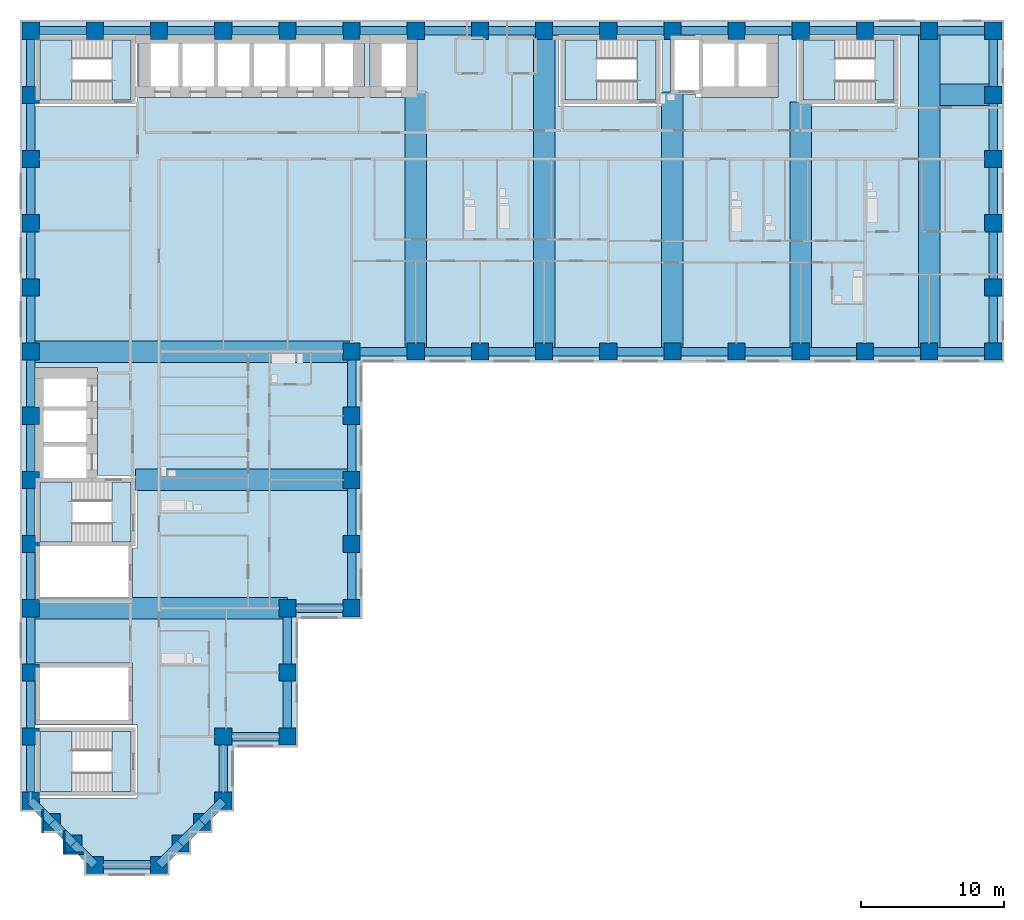
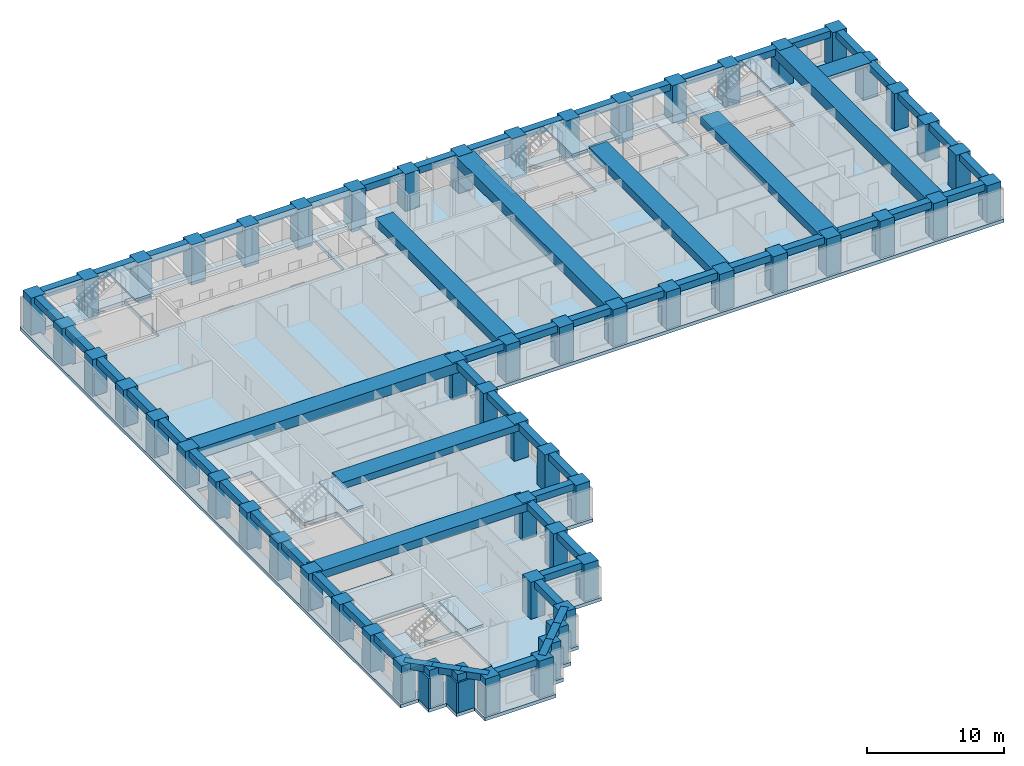
# One storey, part 1 of 12: 67 beams, 58 columns, 11 slabs, 3 walls, 5 elements without a shape of their own.
"""IFC4 building model written with IfcOpenShell, lengths in metres."""

from ifc_helpers import new_model, si_unit, direction, frame, frame_2d, origin, origin_2d, place, context, subcontext, project, spatial, polyline, rectangle, outline, extrude, material, layer, layer_set, material_profile, profile_set, type_object, element, aggregate, save


model = new_model("IFC4")

# Units and contexts
model_context = context("Model", 3, precision=1e-05, world=origin(), true_north=direction((0.0, 1.0)))
body_context = subcontext(model_context, "Body", "Model", "MODEL_VIEW")
ifc_project = project(units=[si_unit("LENGTHUNIT", "METRE"), si_unit("AREAUNIT", "SQUARE_METRE"), si_unit("VOLUMEUNIT", "CUBIC_METRE"), si_unit("PLANEANGLEUNIT", "RADIAN"), si_unit("MASSUNIT", "GRAM", prefix="KILO")], contexts=[model_context])

# Site, building, storey
site_placement = place(None, origin())
site = spatial("IfcSite", under=ifc_project, at=site_placement, CompositionType="ELEMENT")
building_placement = place(site_placement, origin())
building = spatial("IfcBuilding", under=site, at=building_placement, Name="Firuza Court", CompositionType="ELEMENT")
storey_placement = place(building_placement, frame((0.0, 0.0, 97.39990234375)))
storey = spatial("IfcBuildingStorey", under=building, at=storey_placement, Name="L24", CompositionType="ELEMENT", Elevation=97.39990234375)

# Columns
ifc_material_1 = material(Name="Concrete C70/85", Category="concrete")
ifc_material_profile_1 = material_profile(ifc_material_1, rectangle(XDim=1.199951171875, YDim=1.199951171875, at=origin_2d()), Name="RC 1200x1200")
ifc_profile_set_1 = profile_set([ifc_material_profile_1], Name="Concrete C70/85")
column_type = type_object("IfcColumnType", Name="Tube column RC 1200x1200 C70/85", PredefinedType="COLUMN", material=ifc_profile_set_1)
for number, where, z_axis, x_axis, name in (
    (1, (4.5, 0.0, -0.2998046875), (0.0, 0.0, 1.0), (1.0, 0.0, 0.0), "Column C-2D L24"),
    (2, (9.0, 0.0, -0.2998046875), (0.0, 0.0, 1.0), (1.0, 0.0, 0.0), "Column C-3D L24"),
    (3, (3.0, 1.5, -0.2998046875), (0.0, 0.0, 1.0), (1.0, 0.0, 0.0), "Column C-SA1 L24"),
    (4, (10.5, 1.5, -0.2998046875), (0.0, 0.0, 1.0), (1.0, 0.0, 0.0), "Column C-SA2 L24"),
    (5, (1.5, 3.0, -0.2998046875), (0.0, 0.0, 1.0), (1.0, 0.0, 0.0), "Column C-SA3 L24"),
    (6, (12.0, 3.0, -0.2998046875), (0.0, 0.0, 1.0), (1.0, 0.0, 0.0), "Column C-SA4 L24"),
    (7, (0.0, 4.5, -0.2998046875), (0.0, 0.0, 1.0), (1.0, 0.0, 0.0), "Column C-1E L24"),
    (8, (13.5, 4.5, -0.2998046875), (0.0, 0.0, 1.0), (1.0, 0.0, 0.0), "Column C-4E L24"),
    (9, (0.0, 9.0, -0.2998046875), (0.0, 0.0, 1.0), (1.0, 0.0, 0.0), "Column C-1F L24"),
    (10, (13.5, 9.0, -0.2998046875), (0.0, 0.0, 1.0), (1.0, 0.0, 0.0), "Column C-4F L24"),
    (11, (18.0, 9.0, -0.2998046875), (0.0, 0.0, 1.0), (1.0, 0.0, 0.0), "Column C-5F L24"),
    (12, (0.0, 13.5, -0.2998046875), (0.0, 0.0, 1.0), (1.0, 0.0, 0.0), "Column C-1G L24"),
    (13, (18.0, 13.5, -0.2998046875), (0.0, 0.0, 1.0), (1.0, 0.0, 0.0), "Column C-5G L24"),
    (14, (0.0, 18.0, -0.2998046875), (0.0, 0.0, 1.0), (1.0, 0.0, 0.0), "Column C-1H L24"),
    (15, (18.0, 18.0, -0.2998046875), (0.0, 0.0, 1.0), (1.0, 0.0, 0.0), "Column C-5H L24"),
    (16, (22.5, 18.0, -0.2998046875), (0.0, 0.0, 1.0), (1.0, 0.0, 0.0), "Column C-6H L24"),
    (17, (0.0, 22.5, -0.2998046875), (0.0, 0.0, 1.0), (1.0, 0.0, 0.0), "Column C-1J L24"),
    (18, (22.5, 22.5, -0.2998046875), (0.0, 0.0, 1.0), (1.0, 0.0, 0.0), "Column C-6J L24"),
    (19, (0.0, 27.0, -0.2998046875), (0.0, 0.0, 1.0), (1.0, 0.0, 0.0), "Column C-1K L24"),
    (20, (22.5, 27.0, -0.2998046875), (0.0, 0.0, 1.0), (1.0, 0.0, 0.0), "Column C-6K L24"),
    (21, (0.0, 31.5, -0.2998046875), (0.0, 0.0, 1.0), (1.0, 0.0, 0.0), "Column C-1L L24"),
    (22, (22.5, 31.5, -0.2998046875), (0.0, 0.0, 1.0), (1.0, 0.0, 0.0), "Column C-6L L24"),
    (23, (0.0, 36.0, -0.2998046875), (0.0, 0.0, 1.0), (1.0, 0.0, 0.0), "Column C-1M L24"),
    (24, (22.5, 36.0, -0.2998046875), (0.0, 0.0, 1.0), (1.0, 0.0, 0.0), "Column C-6M L24"),
    (25, (27.0, 36.0, -0.2998046875), (0.0, 0.0, 1.0), (1.0, 0.0, 0.0), "Column C-7M L24"),
    (26, (31.5, 36.0, -0.2998046875), (0.0, 0.0, 1.0), (1.0, 0.0, 0.0), "Column C-8M L24"),
    (27, (36.0, 36.0, -0.2998046875), (0.0, 0.0, 1.0), (1.0, 0.0, 0.0), "Column C-9M L24"),
    (28, (40.5, 36.0, -0.2998046875), (0.0, 0.0, 1.0), (1.0, 0.0, 0.0), "Column C-10M L24"),
    (29, (45.0, 36.0, -0.2998046875), (0.0, 0.0, 1.0), (1.0, 0.0, 0.0), "Column C-11M L24"),
    (30, (49.5, 36.0, -0.2998046875), (0.0, 0.0, 1.0), (1.0, 0.0, 0.0), "Column C-12M L24"),
    (31, (54.0, 36.0, -0.2998046875), (0.0, 0.0, 1.0), (1.0, 0.0, 0.0), "Column C-13M L24"),
    (32, (58.5, 36.0, -0.2998046875), (0.0, 0.0, 1.0), (1.0, 0.0, 0.0), "Column C-14M L24"),
    (33, (63.0, 36.0, -0.2998046875), (0.0, 0.0, 1.0), (1.0, 0.0, 0.0), "Column C-15M L24"),
    (34, (67.5, 36.0, -0.2998046875), (0.0, 0.0, 1.0), (1.0, 0.0, 0.0), "Column C-16M L24"),
    (35, (0.0, 40.5, -0.2998046875), (0.0, 0.0, 1.0), (1.0, 0.0, 0.0), "Column C-1N L24"),
    (36, (67.5, 40.5, -0.2998046875), (0.0, 0.0, 1.0), (1.0, 0.0, 0.0), "Column C-16N L24"),
    (37, (0.0, 45.0, -0.2998046875), (0.0, 0.0, 1.0), (1.0, 0.0, 0.0), "Column C-1P L24"),
    (38, (67.5, 45.0, -0.2998046875), (0.0, 0.0, 1.0), (1.0, 0.0, 0.0), "Column C-16P L24"),
    (39, (0.0, 49.5, -0.2998046875), (0.0, 0.0, 1.0), (1.0, 0.0, 0.0), "Column C-1Q L24"),
    (40, (67.5, 49.5, -0.2998046875), (0.0, 0.0, 1.0), (1.0, 0.0, 0.0), "Column C-16Q L24"),
    (41, (0.0, 54.0, -0.2998046875), (0.0, 0.0, 1.0), (1.0, 0.0, 0.0), "Column C-1R L24"),
    (42, (67.5, 54.0, -0.2998046875), (0.0, 0.0, 1.0), (1.0, 0.0, 0.0), "Column C-16R L24"),
    (43, (0.0, 58.5, -0.2998046875), (0.0, 0.0, 1.0), (1.0, 0.0, 0.0), "Column C-1S L24"),
    (44, (4.5, 58.5, -0.2998046875), (0.0, 0.0, 1.0), (1.0, 0.0, 0.0), "Column C-2S L24"),
    (45, (9.0, 58.5, -0.2998046875), (0.0, 0.0, 1.0), (1.0, 0.0, 0.0), "Column C-3S L24"),
    (46, (13.5, 58.5, -0.2998046875), (0.0, 0.0, 1.0), (1.0, 0.0, 0.0), "Column C-4S L24"),
    (47, (18.0, 58.5, -0.2998046875), (0.0, 0.0, 1.0), (1.0, 0.0, 0.0), "Column C-5S L24"),
    (48, (22.5, 58.5, -0.2998046875), (0.0, 0.0, 1.0), (1.0, 0.0, 0.0), "Column C-6S L24"),
    (49, (27.0, 58.5, -0.2998046875), (0.0, 0.0, 1.0), (1.0, 0.0, 0.0), "Column C-7S L24"),
    (50, (31.5, 58.5, -0.2998046875), (0.0, 0.0, 1.0), (1.0, 0.0, 0.0), "Column C-8S L24"),
    (51, (36.0, 58.5, -0.2998046875), (0.0, 0.0, 1.0), (1.0, 0.0, 0.0), "Column C-9S L24"),
    (52, (40.5, 58.5, -0.2998046875), (0.0, 0.0, 1.0), (1.0, 0.0, 0.0), "Column C-10S L24"),
    (53, (45.0, 58.5, -0.2998046875), (0.0, 0.0, 1.0), (1.0, 0.0, 0.0), "Column C-11S L24"),
    (54, (49.5, 58.5, -0.2998046875), (0.0, 0.0, 1.0), (1.0, 0.0, 0.0), "Column C-12S L24"),
    (55, (54.0, 58.5, -0.2998046875), (0.0, 0.0, 1.0), (1.0, 0.0, 0.0), "Column C-13S L24"),
    (56, (58.5, 58.5, -0.2998046875), (0.0, 0.0, 1.0), (1.0, 0.0, 0.0), "Column C-14S L24"),
    (57, (63.0, 58.5, -0.2998046875), (0.0, 0.0, 1.0), (1.0, 0.0, 0.0), "Column C-15S L24"),
    (58, (67.5, 58.5, -0.2998046875), (0.0, 0.0, 1.0), (1.0, 0.0, 0.0), "Column C-16S L24"),
):
    element("IfcColumn", number, at=place(storey_placement, frame(where, z_axis=z_axis, x_axis=x_axis)), inside=storey, type_object=column_type, Name=name, PredefinedType="COLUMN", context=body_context, shape_type="SweptSolid", body=[
        extrude(rectangle(XDim=1.199951171875, YDim=1.199951171875, at=origin_2d()), origin(), (0.0, 0.0, 1.0), 3.599853515625),
    ])

# Beams
ifc_material_2 = material(Name="Concrete C40/50", Category="concrete")
ifc_material_profile_2 = material_profile(ifc_material_2, rectangle(XDim=1.5, YDim=0.300048828125, at=origin_2d()), Name="RC 1500x300")
ifc_profile_set_2 = profile_set([ifc_material_profile_2], Name="Concrete C40/50")
beam_type_1 = type_object("IfcBeamType", Name="Band beam RC 1500x300 C40/50", PredefinedType="BEAM", material=ifc_profile_set_2)
beam_1_placement = place(storey_placement, frame((67.5, 54.0, 3.150146484375), z_axis=(-1.0, 0.0, 0.0), x_axis=(0.0, -1.0, 0.0)))
element("IfcBeam", 59, at=beam_1_placement, inside=storey, type_object=beam_type_1, Name="Band beam FB6 level L25", PredefinedType="BEAM", context=body_context, shape_type="SweptSolid", body=[
    extrude(rectangle(XDim=1.5, YDim=0.300048828125, at=origin_2d()), origin(), (0.0, 0.0, 1.0), 3.75),
])
ifc_material_3 = material(Name="Concrete C40/50", Category="concrete")
ifc_material_profile_3 = material_profile(ifc_material_3, rectangle(XDim=1.5, YDim=0.60009765625, at=origin_2d()), Name="RC 1500x600")
ifc_profile_set_3 = profile_set([ifc_material_profile_3], Name="Concrete C40/50")
beam_type_2 = type_object("IfcBeamType", Name="Band beam RC 1500x600 C40/50", PredefinedType="BEAM", material=ifc_profile_set_3)
beam_2_placement = place(storey_placement, frame((22.5, 27.0, 3.0), z_axis=(-1.0, 0.0, 0.0), x_axis=(0.0, -1.0, 0.0)))
element("IfcBeam", 60, at=beam_2_placement, inside=storey, type_object=beam_type_2, Name="Band beam FB3 level L25", PredefinedType="BEAM", context=body_context, shape_type="SweptSolid", body=[
    extrude(rectangle(XDim=1.5, YDim=0.60009765625, at=origin_2d()), origin(), (0.0, 0.0, 1.0), 15.14990234375),
])
ifc_material_4 = material(Name="Concrete C40/50", Category="concrete")
ifc_material_profile_4 = material_profile(ifc_material_4, rectangle(XDim=1.5, YDim=0.699951171875, at=origin_2d()), Name="RC 1500x700")
ifc_profile_set_4 = profile_set([ifc_material_profile_4], Name="Concrete C40/50")
beam_type_3 = type_object("IfcBeamType", Name="Band beam RC 1500x700 C40/50", PredefinedType="BEAM", material=ifc_profile_set_4)
beam_3_placement = place(storey_placement, frame((0.0, 18.0, 2.9501953125), z_axis=(1.0, 0.0, 0.0), x_axis=(0.0, 1.0, 0.0)))
element("IfcBeam", 61, at=beam_3_placement, inside=storey, type_object=beam_type_3, Name="Band beam FB1 level L25", PredefinedType="BEAM", context=body_context, shape_type="SweptSolid", body=[
    extrude(rectangle(XDim=1.5, YDim=0.699951171875, at=origin_2d()), origin(), (0.0, 0.0, 1.0), 18.0),
])
for number, where, z_axis, x_axis, name in (
    (62, (27.0, 36.0, 2.9501953125), (0.0, 1.0, 0.0), (-1.0, 0.0, 0.0), "Band beam FB1 level L25"),
    (63, (45.0, 36.0, 2.9501953125), (0.0, 1.0, 0.0), (-1.0, 0.0, 0.0), "Band beam FB1 level L25"),
):
    element("IfcBeam", number, at=place(storey_placement, frame(where, z_axis=z_axis, x_axis=x_axis)), inside=storey, type_object=beam_type_3, Name=name, PredefinedType="BEAM", context=body_context, shape_type="SweptSolid", body=[
        extrude(rectangle(XDim=1.5, YDim=0.699951171875, at=origin_2d()), origin(), (0.0, 0.0, 1.0), 18.199951171875),
    ])
beam_4_placement = place(storey_placement, frame((54.0, 36.0, 2.9501953125), z_axis=(0.0, 1.0, 0.0), x_axis=(-1.0, 0.0, 0.0)))
element("IfcBeam", 64, at=beam_4_placement, inside=storey, type_object=beam_type_3, Name="Band beam FB1 level L25", PredefinedType="BEAM", context=body_context, shape_type="SweptSolid", body=[
    extrude(rectangle(XDim=1.5, YDim=0.699951171875, at=origin_2d()), origin(), (0.0, 0.0, 1.0), 17.5),
])
ifc_material_5 = material(Name="Concrete C40/50", Category="concrete")
ifc_material_profile_5 = material_profile(ifc_material_5, rectangle(XDim=1.5, YDim=0.89990234375, at=origin_2d()), Name="RC 1500x900")
ifc_profile_set_5 = profile_set([ifc_material_profile_5], Name="Concrete C40/50")
beam_type_4 = type_object("IfcBeamType", Name="Band beam RC 1500x900 C40/50", PredefinedType="BEAM", material=ifc_profile_set_5)
for number, where, z_axis, x_axis, name in (
    (65, (0.0, 36.0, 2.85009765625), (1.0, 0.0, 0.0), (0.0, 1.0, 0.0), "Band beam FB2 level L25"),
    (66, (36.0, 36.0, 2.85009765625), (0.0, 1.0, 0.0), (-1.0, 0.0, 0.0), "Band beam FB2 level L25"),
    (67, (63.0, 36.0, 2.85009765625), (0.0, 1.0, 0.0), (-1.0, 0.0, 0.0), "Band beam FB2 level L25"),
):
    element("IfcBeam", number, at=place(storey_placement, frame(where, z_axis=z_axis, x_axis=x_axis)), inside=storey, type_object=beam_type_4, Name=name, PredefinedType="BEAM", context=body_context, shape_type="SweptSolid", body=[
        extrude(rectangle(XDim=1.5, YDim=0.89990234375, at=origin_2d()), origin(), (0.0, 0.0, 1.0), 22.5),
    ])
ifc_material_6 = material(Name="Concrete C40/50", Category="concrete")
ifc_material_profile_6 = material_profile(ifc_material_6, rectangle(XDim=0.60009765625, YDim=0.60009765625, at=origin_2d()), Name="RC 600x600")
ifc_profile_set_6 = profile_set([ifc_material_profile_6], Name="Concrete C40/50")
beam_type_5 = type_object("IfcBeamType", Name="Spandrel beam RC 600x600 C40/50", PredefinedType="BEAM", material=ifc_profile_set_6)
beam_5_placement = place(storey_placement, frame((0.0, 4.5, 3.0), z_axis=(0.707106781187, -0.707106781187, 0.0), x_axis=(0.707106781187, 0.707106781187, 0.0)))
element("IfcBeam", 68, at=beam_5_placement, inside=storey, type_object=beam_type_5, Name="Spandrel beam SP11 level L25", PredefinedType="BEAM", context=body_context, shape_type="SweptSolid", body=[
    extrude(rectangle(XDim=0.60009765625, YDim=0.60009765625, at=origin_2d()), origin(), (0.0, 0.0, 1.0), 2.121337890625),
])
for number, where, z_axis, x_axis, name in (
    (69, (0.0, 9.0, 3.0), (0.0, -1.0, 0.0), (1.0, 0.0, 0.0), "Spandrel beam SP11 level L25"),
    (70, (0.0, 13.5, 3.0), (0.0, -1.0, 0.0), (1.0, 0.0, 0.0), "Spandrel beam SP11 level L25"),
    (71, (0.0, 18.0, 3.0), (0.0, -1.0, 0.0), (1.0, 0.0, 0.0), "Spandrel beam SP11 level L25"),
    (72, (0.0, 22.5, 3.0), (0.0, -1.0, 0.0), (1.0, 0.0, 0.0), "Spandrel beam SP11 level L25"),
    (73, (0.0, 27.0, 3.0), (0.0, -1.0, 0.0), (1.0, 0.0, 0.0), "Spandrel beam SP11 level L25"),
    (74, (0.0, 31.5, 3.0), (0.0, -1.0, 0.0), (1.0, 0.0, 0.0), "Spandrel beam SP11 level L25"),
    (75, (0.0, 36.0, 3.0), (0.0, -1.0, 0.0), (1.0, 0.0, 0.0), "Spandrel beam SP11 level L25"),
    (76, (0.0, 40.5, 3.0), (0.0, -1.0, 0.0), (1.0, 0.0, 0.0), "Spandrel beam SP11 level L25"),
    (77, (0.0, 45.0, 3.0), (0.0, -1.0, 0.0), (1.0, 0.0, 0.0), "Spandrel beam SP11 level L25"),
    (78, (0.0, 49.5, 3.0), (0.0, -1.0, 0.0), (1.0, 0.0, 0.0), "Spandrel beam SP11 level L25"),
    (79, (0.0, 54.0, 3.0), (0.0, -1.0, 0.0), (1.0, 0.0, 0.0), "Spandrel beam SP11 level L25"),
    (80, (0.0, 58.5, 3.0), (0.0, -1.0, 0.0), (1.0, 0.0, 0.0), "Spandrel beam SP11 level L25"),
):
    element("IfcBeam", number, at=place(storey_placement, frame(where, z_axis=z_axis, x_axis=x_axis)), inside=storey, type_object=beam_type_5, Name=name, PredefinedType="BEAM", context=body_context, shape_type="SweptSolid", body=[
        extrude(rectangle(XDim=0.60009765625, YDim=0.60009765625, at=origin_2d()), origin(), (0.0, 0.0, 1.0), 4.5),
    ])
for number, where, z_axis, x_axis, name in (
    (81, (1.5, 3.0, 3.0), (0.707106781187, -0.707106781187, 0.0), (0.707106781187, 0.707106781187, 0.0), "Spandrel beam SP11 level L25"),
    (82, (3.0, 1.5, 3.0), (0.707106781187, -0.707106781187, 0.0), (0.707106781187, 0.707106781187, 0.0), "Spandrel beam SP11 level L25"),
):
    element("IfcBeam", number, at=place(storey_placement, frame(where, z_axis=z_axis, x_axis=x_axis)), inside=storey, type_object=beam_type_5, Name=name, PredefinedType="BEAM", context=body_context, shape_type="SweptSolid", body=[
        extrude(rectangle(XDim=0.60009765625, YDim=0.60009765625, at=origin_2d()), origin(), (0.0, 0.0, 1.0), 2.121337890625),
    ])
for number, where, z_axis, x_axis, name in (
    (83, (4.5, 0.0, 3.0), (1.0, 0.0, 0.0), (0.0, 1.0, 0.0), "Spandrel beam SP11 level L25"),
    (84, (4.5, 58.5, 3.0), (-1.0, 0.0, 0.0), (0.0, -1.0, 0.0), "Spandrel beam SP11 level L25"),
):
    element("IfcBeam", number, at=place(storey_placement, frame(where, z_axis=z_axis, x_axis=x_axis)), inside=storey, type_object=beam_type_5, Name=name, PredefinedType="BEAM", context=body_context, shape_type="SweptSolid", body=[
        extrude(rectangle(XDim=0.60009765625, YDim=0.60009765625, at=origin_2d()), origin(), (0.0, 0.0, 1.0), 4.5),
    ])
beam_6_placement = place(storey_placement, frame((9.0, 0.0, 3.0), z_axis=(0.707106781187, 0.707106781187, 0.0), x_axis=(-0.707106781187, 0.707106781187, 0.0)))
element("IfcBeam", 85, at=beam_6_placement, inside=storey, type_object=beam_type_5, Name="Spandrel beam SP11 level L25", PredefinedType="BEAM", context=body_context, shape_type="SweptSolid", body=[
    extrude(rectangle(XDim=0.60009765625, YDim=0.60009765625, at=origin_2d()), origin(), (0.0, 0.0, 1.0), 2.121337890625),
])
beam_7_placement = place(storey_placement, frame((9.0, 58.5, 3.0), z_axis=(-1.0, 0.0, 0.0), x_axis=(0.0, -1.0, 0.0)))
element("IfcBeam", 86, at=beam_7_placement, inside=storey, type_object=beam_type_5, Name="Spandrel beam SP11 level L25", PredefinedType="BEAM", context=body_context, shape_type="SweptSolid", body=[
    extrude(rectangle(XDim=0.60009765625, YDim=0.60009765625, at=origin_2d()), origin(), (0.0, 0.0, 1.0), 4.5),
])
for number, where, z_axis, x_axis, name in (
    (87, (10.5, 1.5, 3.0), (0.707106781187, 0.707106781187, 0.0), (-0.707106781187, 0.707106781187, 0.0), "Spandrel beam SP11 level L25"),
    (88, (12.0, 3.0, 3.0), (0.707106781187, 0.707106781187, 0.0), (-0.707106781187, 0.707106781187, 0.0), "Spandrel beam SP11 level L25"),
):
    element("IfcBeam", number, at=place(storey_placement, frame(where, z_axis=z_axis, x_axis=x_axis)), inside=storey, type_object=beam_type_5, Name=name, PredefinedType="BEAM", context=body_context, shape_type="SweptSolid", body=[
        extrude(rectangle(XDim=0.60009765625, YDim=0.60009765625, at=origin_2d()), origin(), (0.0, 0.0, 1.0), 2.121337890625),
    ])
for number, where, z_axis, x_axis, name in (
    (89, (13.5, 4.5, 3.0), (0.0, 1.0, 0.0), (-1.0, 0.0, 0.0), "Spandrel beam SP11 level L25"),
    (90, (13.5, 9.0, 3.0), (1.0, 0.0, 0.0), (0.0, 1.0, 0.0), "Spandrel beam SP11 level L25"),
    (91, (13.5, 58.5, 3.0), (-1.0, 0.0, 0.0), (0.0, -1.0, 0.0), "Spandrel beam SP11 level L25"),
    (92, (18.0, 9.0, 3.0), (0.0, 1.0, 0.0), (-1.0, 0.0, 0.0), "Spandrel beam SP11 level L25"),
    (93, (18.0, 13.5, 3.0), (0.0, 1.0, 0.0), (-1.0, 0.0, 0.0), "Spandrel beam SP11 level L25"),
    (94, (18.0, 18.0, 3.0), (1.0, 0.0, 0.0), (0.0, 1.0, 0.0), "Spandrel beam SP11 level L25"),
    (95, (18.0, 58.5, 3.0), (-1.0, 0.0, 0.0), (0.0, -1.0, 0.0), "Spandrel beam SP11 level L25"),
    (96, (22.5, 18.0, 3.0), (0.0, 1.0, 0.0), (-1.0, 0.0, 0.0), "Spandrel beam SP11 level L25"),
    (97, (22.5, 22.5, 3.0), (0.0, 1.0, 0.0), (-1.0, 0.0, 0.0), "Spandrel beam SP11 level L25"),
    (98, (22.5, 27.0, 3.0), (0.0, 1.0, 0.0), (-1.0, 0.0, 0.0), "Spandrel beam SP11 level L25"),
    (99, (22.5, 31.5, 3.0), (0.0, 1.0, 0.0), (-1.0, 0.0, 0.0), "Spandrel beam SP11 level L25"),
    (100, (22.5, 36.0, 3.0), (1.0, 0.0, 0.0), (0.0, 1.0, 0.0), "Spandrel beam SP11 level L25"),
    (101, (22.5, 58.5, 3.0), (-1.0, 0.0, 0.0), (0.0, -1.0, 0.0), "Spandrel beam SP11 level L25"),
    (102, (27.0, 36.0, 3.0), (1.0, 0.0, 0.0), (0.0, 1.0, 0.0), "Spandrel beam SP11 level L25"),
    (103, (27.0, 58.5, 3.0), (-1.0, 0.0, 0.0), (0.0, -1.0, 0.0), "Spandrel beam SP11 level L25"),
    (104, (31.5, 36.0, 3.0), (1.0, 0.0, 0.0), (0.0, 1.0, 0.0), "Spandrel beam SP11 level L25"),
    (105, (31.5, 58.5, 3.0), (-1.0, 0.0, 0.0), (0.0, -1.0, 0.0), "Spandrel beam SP11 level L25"),
    (106, (36.0, 36.0, 3.0), (1.0, 0.0, 0.0), (0.0, 1.0, 0.0), "Spandrel beam SP11 level L25"),
    (107, (36.0, 58.5, 3.0), (-1.0, 0.0, 0.0), (0.0, -1.0, 0.0), "Spandrel beam SP11 level L25"),
    (108, (40.5, 36.0, 3.0), (1.0, 0.0, 0.0), (0.0, 1.0, 0.0), "Spandrel beam SP11 level L25"),
    (109, (40.5, 58.5, 3.0), (-1.0, 0.0, 0.0), (0.0, -1.0, 0.0), "Spandrel beam SP11 level L25"),
    (110, (45.0, 36.0, 3.0), (1.0, 0.0, 0.0), (0.0, 1.0, 0.0), "Spandrel beam SP11 level L25"),
    (111, (45.0, 58.5, 3.0), (-1.0, 0.0, 0.0), (0.0, -1.0, 0.0), "Spandrel beam SP11 level L25"),
    (112, (49.5, 36.0, 3.0), (1.0, 0.0, 0.0), (0.0, 1.0, 0.0), "Spandrel beam SP11 level L25"),
    (113, (49.5, 58.5, 3.0), (-1.0, 0.0, 0.0), (0.0, -1.0, 0.0), "Spandrel beam SP11 level L25"),
    (114, (54.0, 36.0, 3.0), (1.0, 0.0, 0.0), (0.0, 1.0, 0.0), "Spandrel beam SP11 level L25"),
    (115, (54.0, 58.5, 3.0), (-1.0, 0.0, 0.0), (0.0, -1.0, 0.0), "Spandrel beam SP11 level L25"),
    (116, (58.5, 36.0, 3.0), (1.0, 0.0, 0.0), (0.0, 1.0, 0.0), "Spandrel beam SP11 level L25"),
    (117, (58.5, 58.5, 3.0), (-1.0, 0.0, 0.0), (0.0, -1.0, 0.0), "Spandrel beam SP11 level L25"),
    (118, (63.0, 36.0, 3.0), (1.0, 0.0, 0.0), (0.0, 1.0, 0.0), "Spandrel beam SP11 level L25"),
    (119, (63.0, 58.5, 3.0), (-1.0, 0.0, 0.0), (0.0, -1.0, 0.0), "Spandrel beam SP11 level L25"),
    (120, (67.5, 36.0, 3.0), (0.0, 1.0, 0.0), (-1.0, 0.0, 0.0), "Spandrel beam SP11 level L25"),
    (121, (67.5, 40.5, 3.0), (0.0, 1.0, 0.0), (-1.0, 0.0, 0.0), "Spandrel beam SP11 level L25"),
    (122, (67.5, 45.0, 3.0), (0.0, 1.0, 0.0), (-1.0, 0.0, 0.0), "Spandrel beam SP11 level L25"),
    (123, (67.5, 49.5, 3.0), (0.0, 1.0, 0.0), (-1.0, 0.0, 0.0), "Spandrel beam SP11 level L25"),
    (124, (67.5, 54.0, 3.0), (0.0, 1.0, 0.0), (-1.0, 0.0, 0.0), "Spandrel beam SP11 level L25"),
    (125, (67.5, 58.5, 3.0), (-1.0, 0.0, 0.0), (0.0, -1.0, 0.0), "Spandrel beam SP11 level L25"),
):
    element("IfcBeam", number, at=place(storey_placement, frame(where, z_axis=z_axis, x_axis=x_axis)), inside=storey, type_object=beam_type_5, Name=name, PredefinedType="BEAM", context=body_context, shape_type="SweptSolid", body=[
        extrude(rectangle(XDim=0.60009765625, YDim=0.60009765625, at=origin_2d()), origin(), (0.0, 0.0, 1.0), 4.5),
    ])

# Slab
ifc_material_7 = material(Name="Concrete C40/50", Category="concrete")
ifc_layer_1 = layer(ifc_material_7, 0.300048828125)
ifc_layer_set_1 = layer_set([ifc_layer_1], Name="Concrete C40/50")
slab_type_1 = type_object("IfcSlabType", Name="Floor slab 300 C40/50", PredefinedType="FLOOR", material=ifc_layer_set_1)
slab_1_placement = place(storey_placement, frame((0.0, 0.0, -0.2998046875)))
element("IfcSlab", 126, at=slab_1_placement, inside=storey, type_object=slab_type_1, Name="Floor slab L24", PredefinedType="FLOOR", context=body_context, shape_type="SweptSolid", body=[
    extrude(outline(polyline([(3.75, -0.75), (3.75, 0.75), (2.25, 0.75), (2.25, 2.25), (0.75, 2.25), (0.75, 3.75), (-0.75, 3.75), (-0.75, 59.25), (68.25, 59.25), (68.25, 35.25), (23.25, 35.25), (23.25, 17.25), (18.75, 17.25), (18.75, 8.25), (14.25, 8.25), (14.25, 3.75), (12.75, 3.75), (12.75, 2.25), (11.25, 2.25), (11.25, 0.75), (9.75, 0.75), (9.75, -0.75), (3.75, -0.75)]), holes=[polyline([(7.5, 9.800048828125), (0.199951171875, 9.800048828125), (0.199951171875, 4.699951171875), (7.5, 4.699951171875), (7.5, 9.800048828125)]), polyline([(7.14990234375, 14.14990234375), (0.35009765625, 14.14990234375), (0.35009765625, 9.85009765625), (7.14990234375, 9.85009765625), (7.14990234375, 14.14990234375)]), polyline([(0.199951171875, 22.199951171875), (0.35009765625, 22.199951171875), (0.35009765625, 18.35009765625), (7.14990234375, 18.35009765625), (7.14990234375, 22.199951171875), (7.5, 22.199951171875), (7.5, 27.300048828125), (4.699951171875, 27.300048828125), (4.699951171875, 29.10009765625), (4.699951171875, 29.89990234375), (4.699951171875, 31.60009765625), (4.699951171875, 32.39990234375), (4.699951171875, 34.89990234375), (0.10009765625, 34.89990234375), (0.10009765625, 32.39990234375), (0.10009765625, 31.60009765625), (0.10009765625, 29.89990234375), (0.10009765625, 29.10009765625), (0.10009765625, 26.60009765625), (0.199951171875, 26.60009765625), (0.199951171875, 22.199951171875)]), polyline([(7.5, 58.300048828125), (0.199951171875, 58.300048828125), (0.199951171875, 53.199951171875), (7.5, 53.199951171875), (7.5, 58.300048828125)]), polyline([(10.10009765625, 58.39990234375), (7.60009765625, 58.39990234375), (7.60009765625, 53.800048828125), (10.10009765625, 53.800048828125), (10.89990234375, 53.800048828125), (12.60009765625, 53.800048828125), (13.39990234375, 53.800048828125), (15.10009765625, 53.800048828125), (15.89990234375, 53.800048828125), (17.60009765625, 53.800048828125), (18.39990234375, 53.800048828125), (20.10009765625, 53.800048828125), (20.89990234375, 53.800048828125), (23.39990234375, 53.800048828125), (23.39990234375, 58.39990234375), (20.89990234375, 58.39990234375), (20.10009765625, 58.39990234375), (18.39990234375, 58.39990234375), (17.60009765625, 58.39990234375), (15.89990234375, 58.39990234375), (15.10009765625, 58.39990234375), (13.39990234375, 58.39990234375), (12.60009765625, 58.39990234375), (10.89990234375, 58.39990234375), (10.10009765625, 58.39990234375)]), polyline([(44.300048828125, 58.300048828125), (37.0, 58.300048828125), (37.0, 53.199951171875), (44.300048828125, 53.199951171875), (44.300048828125, 58.300048828125)]), polyline([(61.0, 58.300048828125), (53.699951171875, 58.300048828125), (53.699951171875, 53.199951171875), (61.0, 53.199951171875), (61.0, 58.300048828125)]), polyline([(27.10009765625, 58.39990234375), (23.800048828125, 58.39990234375), (23.800048828125, 53.800048828125), (27.10009765625, 53.800048828125), (27.10009765625, 58.39990234375)]), polyline([(46.60009765625, 58.14990234375), (44.85009765625, 58.14990234375), (44.85009765625, 54.050048828125), (46.60009765625, 54.050048828125), (46.60009765625, 53.800048828125), (49.10009765625, 53.800048828125), (49.89990234375, 53.800048828125), (52.39990234375, 53.800048828125), (52.39990234375, 58.39990234375), (49.89990234375, 58.39990234375), (49.10009765625, 58.39990234375), (46.60009765625, 58.39990234375), (46.60009765625, 58.14990234375)])]), origin(), (0.0, 0.0, 1.0), 0.2998046875),
])

# Stair, slabs
ifc_material_8 = material(Name="Concrete C40/50 precast", Category="concrete")
stair_type = type_object("IfcStairType", Name="Stair 1350 x 3600 2 flights", PredefinedType="HALF_TURN_STAIR", material=ifc_material_8)
stair_1_placement = place(storey_placement, origin())
stair_1 = element("IfcStair", 127, at=stair_1_placement, inside=storey, type_object=stair_type, Name="Stair 1 L24", PredefinedType="HALF_TURN_STAIR")
ifc_material_9 = material(Name="Concrete C40/50 precast", Category="concrete")
ifc_layer_2 = layer(ifc_material_9, 0.199951171875)
ifc_layer_set_2 = layer_set([ifc_layer_2], Name="Concrete C40/50 precast")
slab_type_2 = type_object("IfcSlabType", Name="Stair landing 200", PredefinedType="LANDING", material=ifc_layer_set_2)
slab_2_placement = place(storey_placement, frame((0.0, 0.0, 1.60009765625)))
slab_2 = element("IfcSlab", 128, at=slab_2_placement, type_object=slab_type_2, Name="S1 landing 1", PredefinedType="LANDING", context=body_context, shape_type="SweptSolid", body=[
    extrude(outline(polyline([(39.699951171875, 53.64990234375), (39.699951171875, 57.85009765625), (37.449951171875, 57.85009765625), (37.449951171875, 53.64990234375), (39.699951171875, 53.64990234375)])), origin(), (0.0, 0.0, 1.0), 0.199951171875),
])
slab_3_placement = place(storey_placement, frame((0.0, 0.0, 3.400146484375)))
slab_3 = element("IfcSlab", 129, at=slab_3_placement, type_object=slab_type_2, Name="S1 landing 2", PredefinedType="LANDING", context=body_context, shape_type="SweptSolid", body=[
    extrude(outline(polyline([(43.85009765625, 53.64990234375), (43.85009765625, 57.85009765625), (42.5, 57.85009765625), (42.5, 53.64990234375), (43.85009765625, 53.64990234375)])), origin(), (0.0, 0.0, 1.0), 0.199951171875),
])
aggregate(stair_1, [slab_2, slab_3])

stair_2_placement = place(storey_placement, origin())
stair_2 = element("IfcStair", 130, at=stair_2_placement, inside=storey, type_object=stair_type, Name="Stair 2 L24", PredefinedType="HALF_TURN_STAIR")
slab_4_placement = place(storey_placement, frame((0.0, 0.0, 1.60009765625)))
slab_4 = element("IfcSlab", 131, at=slab_4_placement, type_object=slab_type_2, Name="S2 landing 1", PredefinedType="LANDING", context=body_context, shape_type="SweptSolid", body=[
    extrude(outline(polyline([(2.89990234375, 22.64990234375), (2.89990234375, 26.85009765625), (0.64990234375, 26.85009765625), (0.64990234375, 22.64990234375), (2.89990234375, 22.64990234375)])), origin(), (0.0, 0.0, 1.0), 0.199951171875),
])
slab_5_placement = place(storey_placement, frame((0.0, 0.0, 3.400146484375)))
slab_5 = element("IfcSlab", 132, at=slab_5_placement, type_object=slab_type_2, Name="S2 landing 2", PredefinedType="LANDING", context=body_context, shape_type="SweptSolid", body=[
    extrude(outline(polyline([(7.050048828125, 22.64990234375), (7.050048828125, 26.85009765625), (5.699951171875, 26.85009765625), (5.699951171875, 22.64990234375), (7.050048828125, 22.64990234375)])), origin(), (0.0, 0.0, 1.0), 0.199951171875),
])
aggregate(stair_2, [slab_4, slab_5])

stair_3_placement = place(storey_placement, origin())
stair_3 = element("IfcStair", 133, at=stair_3_placement, inside=storey, type_object=stair_type, Name="Stair 3 L24", PredefinedType="HALF_TURN_STAIR")
slab_6_placement = place(storey_placement, frame((0.0, 0.0, 1.60009765625)))
slab_6 = element("IfcSlab", 134, at=slab_6_placement, type_object=slab_type_2, Name="S3 landing 1", PredefinedType="LANDING", context=body_context, shape_type="SweptSolid", body=[
    extrude(outline(polyline([(2.89990234375, 53.64990234375), (2.89990234375, 57.85009765625), (0.64990234375, 57.85009765625), (0.64990234375, 53.64990234375), (2.89990234375, 53.64990234375)])), origin(), (0.0, 0.0, 1.0), 0.199951171875),
])
slab_7_placement = place(storey_placement, frame((0.0, 0.0, 3.400146484375)))
slab_7 = element("IfcSlab", 135, at=slab_7_placement, type_object=slab_type_2, Name="S3 landing 2", PredefinedType="LANDING", context=body_context, shape_type="SweptSolid", body=[
    extrude(outline(polyline([(7.050048828125, 53.64990234375), (7.050048828125, 57.85009765625), (5.699951171875, 57.85009765625), (5.699951171875, 53.64990234375), (7.050048828125, 53.64990234375)])), origin(), (0.0, 0.0, 1.0), 0.199951171875),
])
aggregate(stair_3, [slab_6, slab_7])

stair_4_placement = place(storey_placement, origin())
stair_4 = element("IfcStair", 136, at=stair_4_placement, inside=storey, type_object=stair_type, Name="Stair 4 L24", PredefinedType="HALF_TURN_STAIR")
slab_8_placement = place(storey_placement, frame((0.0, 0.0, 1.60009765625)))
slab_8 = element("IfcSlab", 137, at=slab_8_placement, type_object=slab_type_2, Name="S4 landing 1", PredefinedType="LANDING", context=body_context, shape_type="SweptSolid", body=[
    extrude(outline(polyline([(56.39990234375, 53.64990234375), (56.39990234375, 57.85009765625), (54.14990234375, 57.85009765625), (54.14990234375, 53.64990234375), (56.39990234375, 53.64990234375)])), origin(), (0.0, 0.0, 1.0), 0.199951171875),
])
slab_9_placement = place(storey_placement, frame((0.0, 0.0, 3.400146484375)))
slab_9 = element("IfcSlab", 138, at=slab_9_placement, type_object=slab_type_2, Name="S4 landing 2", PredefinedType="LANDING", context=body_context, shape_type="SweptSolid", body=[
    extrude(outline(polyline([(60.550048828125, 53.64990234375), (60.550048828125, 57.85009765625), (59.199951171875, 57.85009765625), (59.199951171875, 53.64990234375), (60.550048828125, 53.64990234375)])), origin(), (0.0, 0.0, 1.0), 0.199951171875),
])
aggregate(stair_4, [slab_8, slab_9])

stair_5_placement = place(storey_placement, origin())
stair_5 = element("IfcStair", 139, at=stair_5_placement, inside=storey, type_object=stair_type, Name="Stair 5 L24", PredefinedType="HALF_TURN_STAIR")
slab_10_placement = place(storey_placement, frame((0.0, 0.0, 1.60009765625)))
slab_10 = element("IfcSlab", 140, at=slab_10_placement, type_object=slab_type_2, Name="S5 landing 1", PredefinedType="LANDING", context=body_context, shape_type="SweptSolid", body=[
    extrude(outline(polyline([(2.89990234375, 5.14990234375), (2.89990234375, 9.35009765625), (0.64990234375, 9.35009765625), (0.64990234375, 5.14990234375), (2.89990234375, 5.14990234375)])), origin(), (0.0, 0.0, 1.0), 0.199951171875),
])
slab_11_placement = place(storey_placement, frame((0.0, 0.0, 3.400146484375)))
slab_11 = element("IfcSlab", 141, at=slab_11_placement, type_object=slab_type_2, Name="S5 landing 2", PredefinedType="LANDING", context=body_context, shape_type="SweptSolid", body=[
    extrude(outline(polyline([(7.050048828125, 5.14990234375), (7.050048828125, 9.35009765625), (5.699951171875, 9.35009765625), (5.699951171875, 5.14990234375), (7.050048828125, 5.14990234375)])), origin(), (0.0, 0.0, 1.0), 0.199951171875),
])
aggregate(stair_5, [slab_10, slab_11])

# Walls
ifc_material_10 = material(Name="Ceramic tile", Category="ceramic")
ifc_layer_3 = layer(ifc_material_10, 0.02001953125)
ifc_material_11 = material(Name="Mineral wool insulation", Category="insulation")
ifc_layer_4 = layer(ifc_material_11, 0.050048828125)
ifc_layer_5 = layer(ifc_material_9, 0.080078125)
ifc_layer_set_3 = layer_set([ifc_layer_3, ifc_layer_4, ifc_layer_5], Name="Concrete C40/50 precast")
wall_type = type_object("IfcWallType", Name="Precast cladding wall with turquoise TILE PANEL face 150", PredefinedType="STANDARD", material=ifc_layer_set_3)
for number, where, z_axis, x_axis, name in (
    (142, (0.824951171875, 3.89990234375, 0.0), (0.0, 0.0, 1.0), (0.0, -1.0, 0.0), "Facade wall L24 W"),
    (143, (2.324951171875, 2.39990234375, 0.0), (0.0, 0.0, 1.0), (0.0, -1.0, 0.0), "Facade wall L24 W"),
):
    element("IfcWall", number, at=place(storey_placement, frame(where, z_axis=z_axis, x_axis=x_axis)), inside=storey, type_object=wall_type, Name=name, PredefinedType="STANDARD", context=body_context, shape_type="SweptSolid", body=[
        extrude(rectangle(XDim=1.64990234375, YDim=0.14990234375, at=frame_2d((0.824951171875, 0.0))), origin(), (0.0, 0.0, 1.0), 2.7001953125),
    ])
wall_placement = place(storey_placement, frame((2.39990234375, 0.824951171875, 0.0), z_axis=(0.0, 0.0, 1.0), x_axis=(1.0, 0.0, 0.0)))
element("IfcWall", 144, at=wall_placement, inside=storey, type_object=wall_type, Name="Facade wall L24 S", PredefinedType="STANDARD", context=body_context, shape_type="SweptSolid", body=[
    extrude(rectangle(XDim=1.35009765625, YDim=0.14990234375, at=frame_2d((0.675048828125, 0.0))), origin(), (0.0, 0.0, 1.0), 2.7001953125),
])

save(model, "model.ifc")
